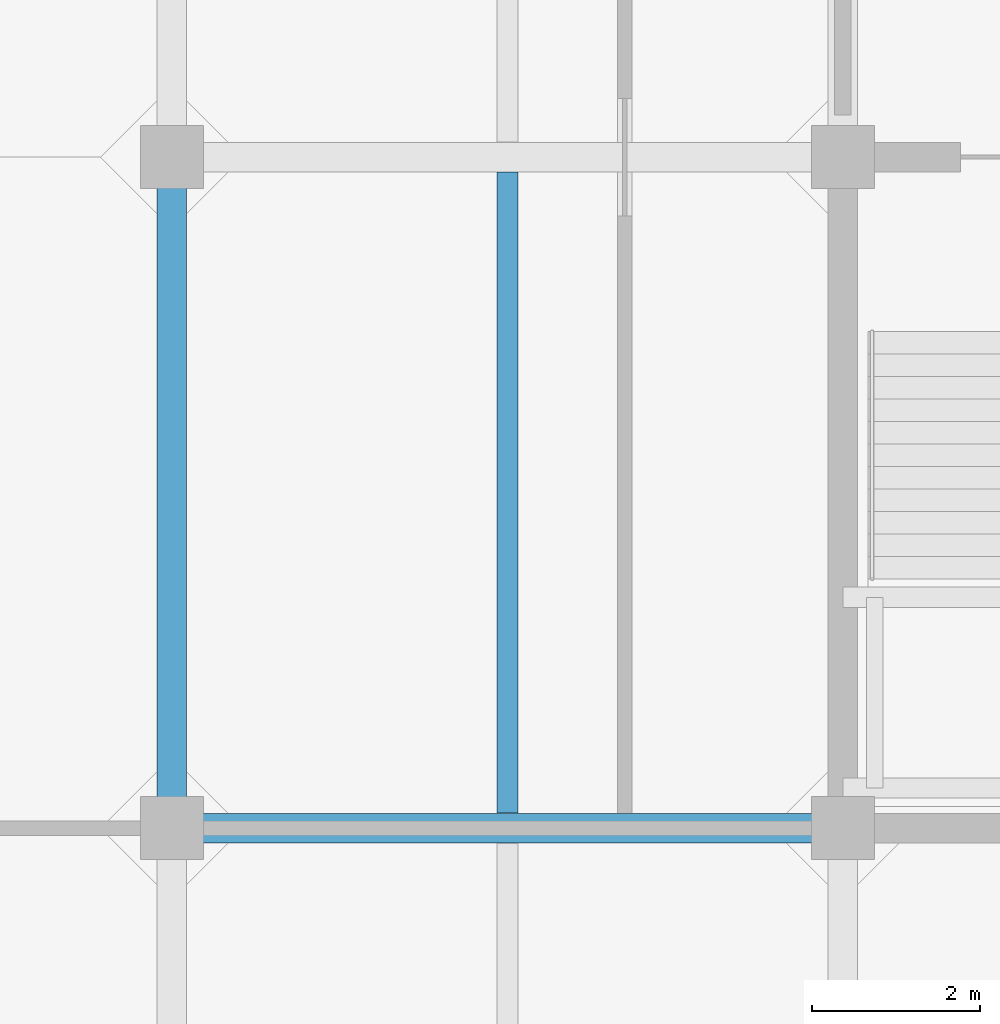
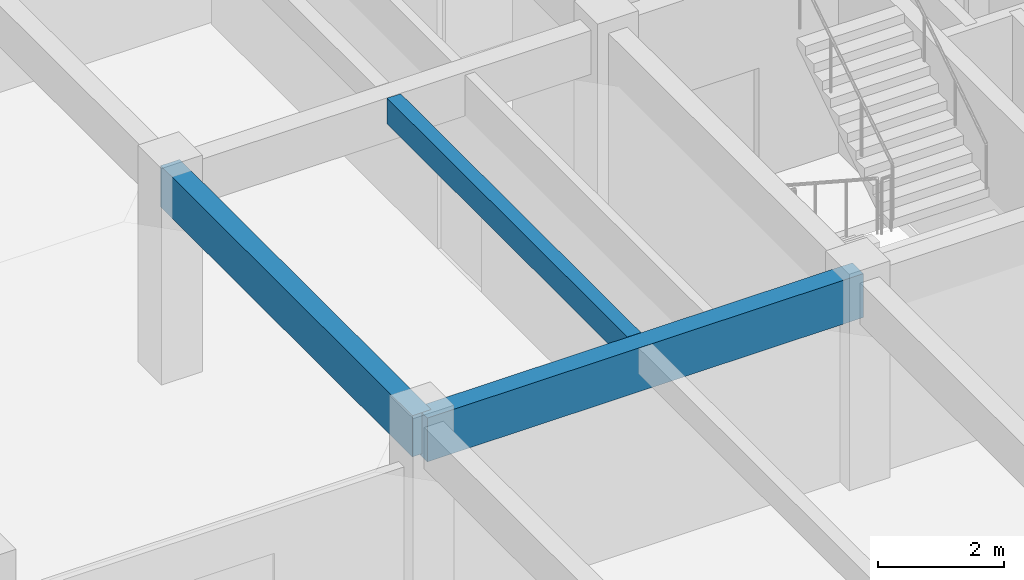
# One storey, part 5 of 27: 3 beams.
"""IFC4 building model written with IfcOpenShell, lengths in metres."""

from ifc_helpers import new_model, si_unit, direction, frame, origin, origin_2d, place, context, subcontext, project, spatial, rectangle, extrude, material, material_profile, profile_set, type_object, element, save


model = new_model("IFC4")

# Units and contexts
model_context = context("Model", 3, precision=1e-05, world=origin(), true_north=direction((0.0, 1.0)))
body_context = subcontext(model_context, "Body", "Model", "MODEL_VIEW")
ifc_project = project(units=[si_unit("LENGTHUNIT", "METRE"), si_unit("AREAUNIT", "SQUARE_METRE"), si_unit("VOLUMEUNIT", "CUBIC_METRE"), si_unit("PLANEANGLEUNIT", "RADIAN"), si_unit("MASSUNIT", "GRAM", prefix="KILO")], contexts=[model_context])

# Site, building, storey
site_placement = place(None, origin())
site = spatial("IfcSite", under=ifc_project, at=site_placement, CompositionType="ELEMENT")
building_placement = place(site_placement, origin())
building = spatial("IfcBuilding", under=site, at=building_placement, Name="Canggui Botanical Conservatory", CompositionType="ELEMENT")
storey_placement = place(building_placement, frame((0.0, 0.0, 36.0)))
storey = spatial("IfcBuildingStorey", under=building, at=storey_placement, Name="L09", CompositionType="ELEMENT", Elevation=36.0)

# Beams
ifc_material = material(Name="Concrete C35", Category="concrete")
ifc_material_profile_1 = material_profile(ifc_material, rectangle(XDim=0.25, YDim=0.5, at=origin_2d()), Name="RB 250x500")
ifc_profile_set_1 = profile_set([ifc_material_profile_1], Name="Concrete C35")
beam_type_1 = type_object("IfcBeamType", Name="BM-JST04", PredefinedType="JOIST", material=ifc_profile_set_1)
beam_1_placement = place(storey_placement, frame((150.0, 42.179931640625, 3.7099609375), z_axis=(0.0, 1.0, 0.0), x_axis=(-1.0, 0.0, 0.0)))
element("IfcBeam", 1, at=beam_1_placement, inside=storey, type_object=beam_type_1, Name="Secondary Floor Joist L09-1-2", PredefinedType="JOIST", context=body_context, shape_type="SweptSolid", body=[
    extrude(rectangle(XDim=0.25, YDim=0.5, at=origin_2d()), origin(), (0.0, 0.0, 1.0), 7.64013671875),
])
ifc_material_profile_2 = material_profile(ifc_material, rectangle(XDim=0.35009765625, YDim=0.85009765625, at=origin_2d()), Name="RB 350x850")
ifc_profile_set_2 = profile_set([ifc_material_profile_2], Name="Concrete C35")
beam_type_2 = type_object("IfcBeamType", Name="BM-KL14", PredefinedType="BEAM", material=ifc_profile_set_2)
beam_2_placement = place(storey_placement, frame((146.0, 42.0, 3.534912109375), z_axis=(1.0, 0.0, 0.0), x_axis=(0.0, 1.0, 0.0)))
element("IfcBeam", 2, at=beam_2_placement, inside=storey, type_object=beam_type_2, Name="Frame Girder L09 Y42-1", PredefinedType="BEAM", context=body_context, shape_type="SweptSolid", body=[
    extrude(rectangle(XDim=0.35009765625, YDim=0.85009765625, at=origin_2d()), origin(), (0.0, 0.0, 1.0), 8.0),
])
ifc_material_profile_3 = material_profile(ifc_material, rectangle(XDim=0.35009765625, YDim=0.800048828125, at=origin_2d()), Name="RB 350x800")
ifc_profile_set_3 = profile_set([ifc_material_profile_3], Name="Concrete C35")
beam_type_3 = type_object("IfcBeamType", Name="BM-KL15", PredefinedType="BEAM", material=ifc_profile_set_3)
beam_3_placement = place(storey_placement, frame((146.0, 42.0, 3.56005859375), z_axis=(0.0, 1.0, 0.0), x_axis=(-1.0, 0.0, 0.0)))
element("IfcBeam", 3, at=beam_3_placement, inside=storey, type_object=beam_type_3, Name="Frame Girder L09 X146-2", PredefinedType="BEAM", context=body_context, shape_type="SweptSolid", body=[
    extrude(rectangle(XDim=0.35009765625, YDim=0.800048828125, at=origin_2d()), origin(), (0.0, 0.0, 1.0), 8.0),
])

save(model, "model.ifc")
